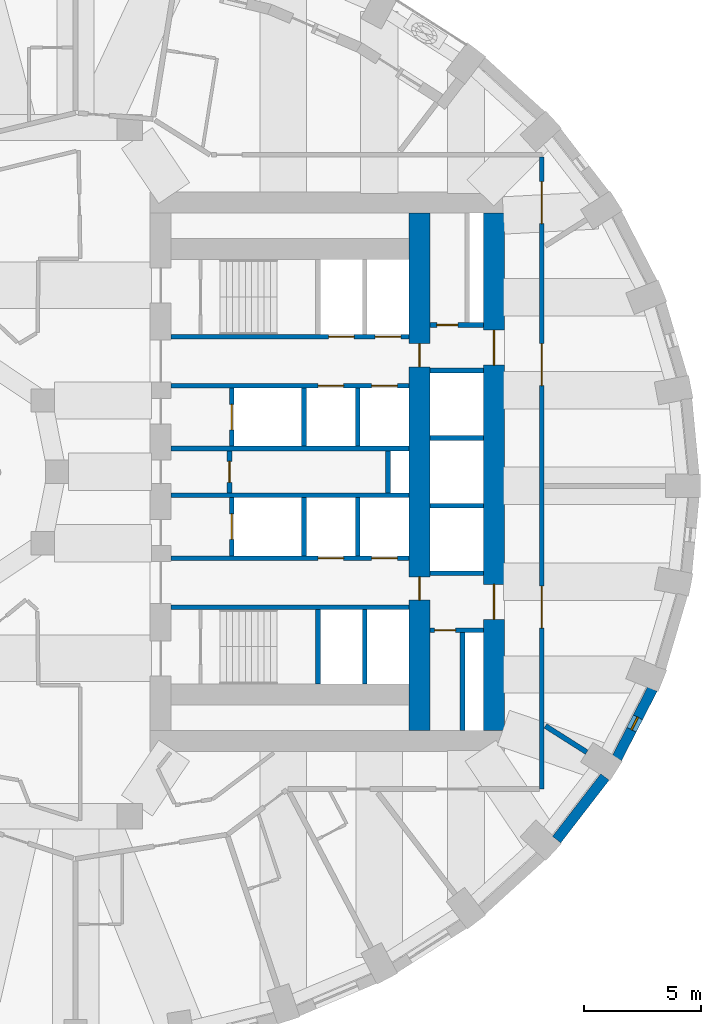
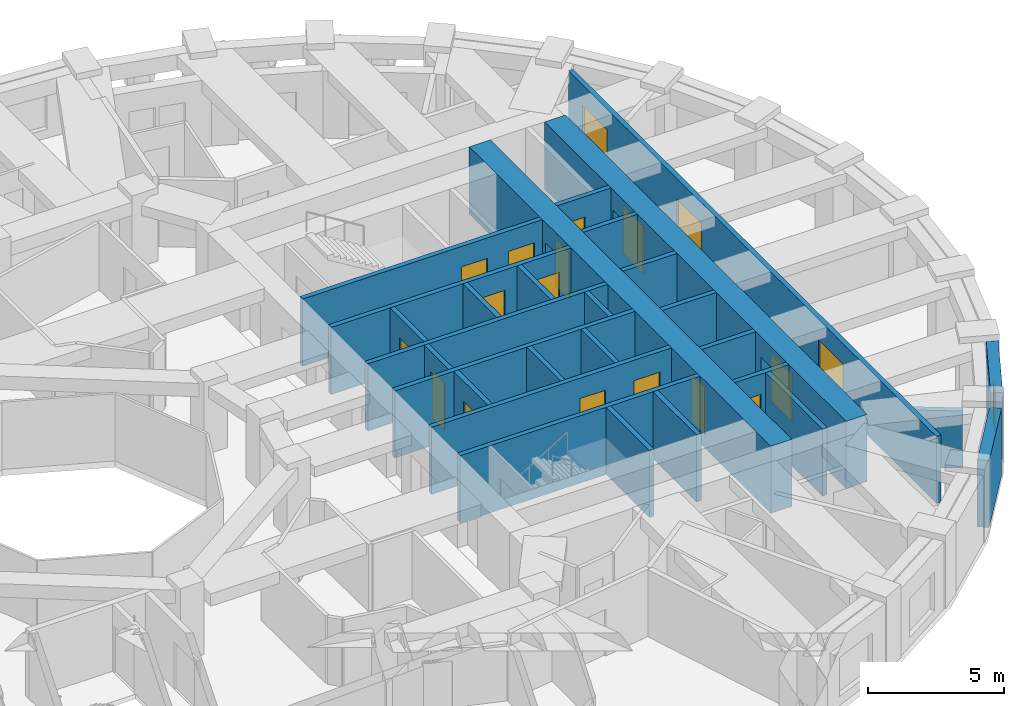
# One storey, part 6 of 12: 29 walls, 18 doors, 1 window, 19 openings.
"""IFC4 building model written with IfcOpenShell, lengths in metres."""

from ifc_helpers import new_model, si_unit, direction, frame, frame_2d, origin, place, context, subcontext, project, spatial, rectangle, extrude, material, layer, layer_set, type_object, element, fill, save


model = new_model("IFC4")

# Units and contexts
model_context = context("Model", 3, precision=1e-05, world=origin(), true_north=direction((0.0, 1.0)))
body_context = subcontext(model_context, "Body", "Model", "MODEL_VIEW")
ifc_project = project(units=[si_unit("LENGTHUNIT", "METRE"), si_unit("AREAUNIT", "SQUARE_METRE"), si_unit("VOLUMEUNIT", "CUBIC_METRE"), si_unit("PLANEANGLEUNIT", "RADIAN"), si_unit("MASSUNIT", "GRAM", prefix="KILO")], contexts=[model_context])

# Site, building, storey
site_placement = place(None, origin())
site = spatial("IfcSite", under=ifc_project, at=site_placement, CompositionType="ELEMENT")
building_placement = place(site_placement, origin())
building = spatial("IfcBuilding", under=site, at=building_placement, Name="Taillehof Tower", CompositionType="ELEMENT")
storey_placement = place(building_placement, frame((0.0, 0.0, 105.39990234375)))
storey = spatial("IfcBuildingStorey", under=building, at=storey_placement, Name="L29", CompositionType="ELEMENT", Elevation=105.39990234375)

# Wall
ifc_material_1 = material(Name="Brick masonry", Category="masonry")
ifc_layer_1 = layer(ifc_material_1, 0.449951171875)
ifc_layer_set_1 = layer_set([ifc_layer_1], Name="Brick infill wall 450")
wall_type_1 = type_object("IfcWallType", Name="Brick infill wall 450", PredefinedType="SOLIDWALL", material=ifc_layer_set_1)
wall_1_placement = place(storey_placement, frame((21.43505859375, -15.775390625, 0.0), z_axis=(0.0, 0.0, 1.0), x_axis=(0.610693945156, 0.791866721961, 0.0)))
element("IfcWall", 1, at=wall_1_placement, inside=storey, type_object=wall_type_1, Name="Brick wall L29 bay 33", PredefinedType="SOLIDWALL", context=body_context, shape_type="SweptSolid", body=[
    extrude(rectangle(XDim=3.39453125, YDim=0.449951171875, at=frame_2d((1.697265625, 0.0))), origin(), (0.0, 0.0, 1.0), 3.02001953125),
])

# Wall, opening, window
wall_2_placement = place(storey_placement, frame((24.022705078125, -12.27685546875, 0.0), z_axis=(0.0, 0.0, 1.0), x_axis=(0.456828186229, 0.889554949549, 0.0)))
wall_2 = element("IfcWall", 2, at=wall_2_placement, inside=storey, type_object=wall_type_1, Name="Brick wall L29 bay 34", PredefinedType="SOLIDWALL", context=body_context, shape_type="SweptSolid", body=[
    extrude(rectangle(XDim=3.332763671875, YDim=0.449951171875, at=frame_2d((1.66650390625, 0.0))), origin(), (0.0, 0.0, 1.0), 3.02001953125),
])
opening_1_placement = place(wall_2_placement, frame((1.366455078125, 0.0, 0.39990234375)))
opening_1 = element("IfcOpeningElement", 3, at=opening_1_placement, cuts=wall_2, Name="Opening W6", PredefinedType="OPENING", context=body_context, shape_type="SweptSolid", body=[
    extrude(rectangle(XDim=0.60009765625, YDim=1.75, at=frame_2d((0.300048828125, 0.875))), frame((0.0, 0.23486328125, 0.0), z_axis=(0.0, -1.0, 0.0), x_axis=(1.0, 0.0, 0.0)), (0.0, 0.0, 1.0), 0.469970703125),
])
ifc_material_2 = material(Name="Aluminium window frame with clear double glazing", Category="aluminium")
window_type = type_object("IfcWindowType", Name="Slot window 600x1750", PartitioningType="SINGLE_PANEL", PredefinedType="WINDOW", material=ifc_material_2)
window_placement = place(opening_1_placement, origin())
window = element("IfcWindow", 4, at=window_placement, inside=storey, type_object=window_type, Name="W6", OverallHeight=1.75, OverallWidth=0.60009765625, PartitioningType="SINGLE_PANEL", PredefinedType="WINDOW", context=body_context, shape_type="SweptSolid", body=[
    extrude(rectangle(XDim=0.60009765625, YDim=1.75, at=frame_2d((0.300048828125, 0.875))), frame((0.0, 0.034912109375, 0.0), z_axis=(0.0, -1.0, 0.0), x_axis=(1.0, 0.0, 0.0)), (0.0, 0.0, 1.0), 0.06005859375),
])
fill(opening_1, window)

# Wall, opening, door
ifc_material_3 = material(Name="Calcium silicate masonry", Category="masonry")
ifc_layer_2 = layer(ifc_material_3, 0.199951171875)
ifc_layer_set_2 = layer_set([ifc_layer_2], Name="Compartment wall calcium silicate 200")
wall_type_2 = type_object("IfcWallType", Name="Compartment wall calcium silicate 200", PredefinedType="PARTITIONING", material=ifc_layer_set_2)
wall_3_placement = place(storey_placement, frame((7.39990234375, -0.89990234375, 0.0), z_axis=(0.0, 0.0, 1.0), x_axis=(0.0, 1.0, 0.0)))
wall_3 = element("IfcWall", 5, at=wall_3_placement, inside=storey, type_object=wall_type_2, Name="Compartment wall FW", PredefinedType="PARTITIONING", context=body_context, shape_type="SweptSolid", body=[
    extrude(rectangle(XDim=1.7998046875, YDim=0.199951171875, at=frame_2d((0.89990234375, 0.0))), origin(), (0.0, 0.0, 1.0), 3.02001953125),
])
opening_2_placement = place(wall_3_placement, frame((0.449951171875, 0.0, 0.0)))
opening_2 = element("IfcOpeningElement", 6, at=opening_2_placement, cuts=wall_3, Name="Opening D2914", PredefinedType="OPENING", context=body_context, shape_type="SweptSolid", body=[
    extrude(rectangle(XDim=0.89990234375, YDim=2.10009765625, at=frame_2d((0.449951171875, 1.050048828125))), frame((0.0, 0.10986328125, 0.0), z_axis=(0.0, -1.0, 0.0), x_axis=(1.0, 0.0, 0.0)), (0.0, 0.0, 1.0), 0.219970703125),
])
ifc_material_4 = material(Name="Steel-faced fire door", Category="steel")
door_type_1 = type_object("IfcDoorType", Name="Riser and service room door 900x2100", OperationType="SINGLE_SWING_LEFT", PredefinedType="DOOR", material=ifc_material_4)
door_1_placement = place(opening_2_placement, origin())
door_1 = element("IfcDoor", 7, at=door_1_placement, inside=storey, type_object=door_type_1, Name="Door Electrical Room", OperationType="SINGLE_SWING_RIGHT", OverallHeight=2.10009765625, OverallWidth=0.89990234375, PredefinedType="DOOR", context=body_context, shape_type="SweptSolid", body=[
    extrude(rectangle(XDim=0.89990234375, YDim=2.10009765625, at=frame_2d((0.449951171875, 1.050048828125))), frame((0.0, 0.02490234375, 0.0), z_axis=(0.0, -1.0, 0.0), x_axis=(1.0, 0.0, 0.0)), (0.0, 0.0, 1.0), 0.050048828125),
])
fill(opening_2, door_1)

# Wall
wall_4_placement = place(storey_placement, frame((14.199951171875, -0.89990234375, 0.0), z_axis=(0.0, 0.0, 1.0), x_axis=(0.0, 1.0, 0.0)))
element("IfcWall", 8, at=wall_4_placement, inside=storey, type_object=wall_type_2, Name="Compartment wall FW", PredefinedType="PARTITIONING", context=body_context, shape_type="SweptSolid", body=[
    extrude(rectangle(XDim=1.7998046875, YDim=0.199951171875, at=frame_2d((0.89990234375, 0.0))), origin(), (0.0, 0.0, 1.0), 3.02001953125),
])

# Wall, opening, door
wall_5_placement = place(storey_placement, frame((16.0, 6.300048828125, 0.0), z_axis=(0.0, 0.0, 1.0), x_axis=(1.0, 0.0, 0.0)))
wall_5 = element("IfcWall", 9, at=wall_5_placement, inside=storey, type_object=wall_type_2, Name="Compartment wall FW", PredefinedType="PARTITIONING", context=body_context, shape_type="SweptSolid", body=[
    extrude(rectangle(XDim=2.300048828125, YDim=0.199951171875, at=frame_2d((1.14990234375, 0.0))), origin(), (0.0, 0.0, 1.0), 3.02001953125),
])
opening_3_placement = place(wall_5_placement, frame((0.300048828125, 0.0, 0.0)))
opening_3 = element("IfcOpeningElement", 10, at=opening_3_placement, cuts=wall_5, Name="Opening D2916", PredefinedType="OPENING", context=body_context, shape_type="SweptSolid", body=[
    extrude(rectangle(XDim=0.89990234375, YDim=2.10009765625, at=frame_2d((0.449951171875, 1.050048828125))), frame((0.0, 0.10986328125, 0.0), z_axis=(0.0, -1.0, 0.0), x_axis=(1.0, 0.0, 0.0)), (0.0, 0.0, 1.0), 0.219970703125),
])
door_2_placement = place(opening_3_placement, origin())
door_2 = element("IfcDoor", 11, at=door_2_placement, inside=storey, type_object=door_type_1, Name="Door Electrical Room", OperationType="SINGLE_SWING_RIGHT", OverallHeight=2.10009765625, OverallWidth=0.89990234375, PredefinedType="DOOR", context=body_context, shape_type="SweptSolid", body=[
    extrude(rectangle(XDim=0.89990234375, YDim=2.10009765625, at=frame_2d((0.449951171875, 1.050048828125))), frame((0.0, 0.02490234375, 0.0), z_axis=(0.0, -1.0, 0.0), x_axis=(1.0, 0.0, 0.0)), (0.0, 0.0, 1.0), 0.050048828125),
])
fill(opening_3, door_2)

wall_6_placement = place(storey_placement, frame((16.0, -6.800048828125, 0.0), z_axis=(0.0, 0.0, 1.0), x_axis=(1.0, 0.0, 0.0)))
wall_6 = element("IfcWall", 12, at=wall_6_placement, inside=storey, type_object=wall_type_2, Name="Compartment wall FW", PredefinedType="PARTITIONING", context=body_context, shape_type="SweptSolid", body=[
    extrude(rectangle(XDim=2.300048828125, YDim=0.199951171875, at=frame_2d((1.14990234375, 0.0))), origin(), (0.0, 0.0, 1.0), 3.02001953125),
])
opening_4_placement = place(wall_6_placement, frame((0.199951171875, 0.0, 0.0)))
opening_4 = element("IfcOpeningElement", 13, at=opening_4_placement, cuts=wall_6, Name="Opening D2918", PredefinedType="OPENING", context=body_context, shape_type="SweptSolid", body=[
    extrude(rectangle(XDim=0.89990234375, YDim=2.10009765625, at=frame_2d((0.449951171875, 1.050048828125))), frame((0.0, 0.10986328125, 0.0), z_axis=(0.0, -1.0, 0.0), x_axis=(1.0, 0.0, 0.0)), (0.0, 0.0, 1.0), 0.219970703125),
])
door_3_placement = place(opening_4_placement, origin())
door_3 = element("IfcDoor", 14, at=door_3_placement, inside=storey, type_object=door_type_1, Name="Door Comms Room", OperationType="SINGLE_SWING_LEFT", OverallHeight=2.10009765625, OverallWidth=0.89990234375, PredefinedType="DOOR", context=body_context, shape_type="SweptSolid", body=[
    extrude(rectangle(XDim=0.89990234375, YDim=2.10009765625, at=frame_2d((0.449951171875, 1.050048828125))), frame((0.0, 0.02490234375, 0.0), z_axis=(0.0, -1.0, 0.0), x_axis=(1.0, 0.0, 0.0)), (0.0, 0.0, 1.0), 0.050048828125),
])
fill(opening_4, door_3)

# Wall
wall_7_placement = place(storey_placement, frame((17.39990234375, -11.10009765625, 0.0), z_axis=(0.0, 0.0, 1.0), x_axis=(0.0, 1.0, 0.0)))
element("IfcWall", 15, at=wall_7_placement, inside=storey, type_object=wall_type_2, Name="Compartment wall FW", PredefinedType="PARTITIONING", context=body_context, shape_type="SweptSolid", body=[
    extrude(rectangle(XDim=4.2001953125, YDim=0.199951171875, at=frame_2d((2.10009765625, 0.0))), origin(), (0.0, 0.0, 1.0), 3.02001953125),
])

# Wall, openings, doors
ifc_material_5 = material(Name="Gypsum board on steel studs, two layers each side", Category="steel")
ifc_layer_3 = layer(ifc_material_5, 0.199951171875)
ifc_layer_set_3 = layer_set([ifc_layer_3], Name="Compartment wall corridor 200")
wall_type_3 = type_object("IfcWallType", Name="Compartment wall corridor 200", PredefinedType="PARTITIONING", material=ifc_layer_set_3)
wall_8_placement = place(storey_placement, frame((20.800048828125, 13.5, 0.0), z_axis=(0.0, 0.0, 1.0), x_axis=(0.0, -1.0, 0.0)))
wall_8 = element("IfcWall", 16, at=wall_8_placement, inside=storey, type_object=wall_type_3, Name="Compartment wall", PredefinedType="PARTITIONING", context=body_context, shape_type="SweptSolid", body=[
    extrude(rectangle(XDim=27.10009765625, YDim=0.199951171875, at=frame_2d((13.550048828125, 0.0))), origin(), (0.0, 0.0, 1.0), 3.02001953125),
])
opening_5_placement = place(wall_8_placement, frame((18.404052734375, 0.0, 0.0)))
opening_5 = element("IfcOpeningElement", 17, at=opening_5_placement, cuts=wall_8, Name="Opening D2962", PredefinedType="OPENING", context=body_context, shape_type="SweptSolid", body=[
    extrude(rectangle(XDim=1.800048828125, YDim=2.10009765625, at=frame_2d((0.89990234375, 1.050048828125))), frame((0.0, 0.10986328125, 0.0), z_axis=(0.0, -1.0, 0.0), x_axis=(1.0, 0.0, 0.0)), (0.0, 0.0, 1.0), 0.219970703125),
])
opening_6_placement = place(wall_8_placement, frame((7.99609375, 0.0, 0.0)))
opening_6 = element("IfcOpeningElement", 18, at=opening_6_placement, cuts=wall_8, Name="Opening D2963", PredefinedType="OPENING", context=body_context, shape_type="SweptSolid", body=[
    extrude(rectangle(XDim=1.800048828125, YDim=2.10009765625, at=frame_2d((0.89990234375, 1.050048828125))), frame((0.0, 0.10986328125, 0.0), z_axis=(0.0, -1.0, 0.0), x_axis=(1.0, 0.0, 0.0)), (0.0, 0.0, 1.0), 0.219970703125),
])
opening_7_placement = place(wall_8_placement, frame((1.05517578125, 0.0, 0.0)))
opening_7 = element("IfcOpeningElement", 19, at=opening_7_placement, cuts=wall_8, Name="Opening D2964", PredefinedType="OPENING", context=body_context, shape_type="SweptSolid", body=[
    extrude(rectangle(XDim=1.800048828125, YDim=2.10009765625, at=frame_2d((0.89990234375, 1.050048828125))), frame((0.0, 0.10986328125, 0.0), z_axis=(0.0, -1.0, 0.0), x_axis=(1.0, 0.0, 0.0)), (0.0, 0.0, 1.0), 0.219970703125),
])
ifc_material_6 = material(Name="Timber door leaf in steel frame", Category="steel")
door_type_2 = type_object("IfcDoorType", Name="Lounge and meeting room double door EI 30 1800 x 2100", OperationType="SINGLE_SWING_LEFT", PredefinedType="DOOR", material=ifc_material_6)
door_4_placement = place(opening_5_placement, origin())
door_4 = element("IfcDoor", 20, at=door_4_placement, inside=storey, type_object=door_type_2, Name="D2962", OperationType="DOUBLE_DOOR_SINGLE_SWING", OverallHeight=2.10009765625, OverallWidth=1.800048828125, PredefinedType="DOOR", context=body_context, shape_type="SweptSolid", body=[
    extrude(rectangle(XDim=1.800048828125, YDim=2.10009765625, at=frame_2d((0.89990234375, 1.050048828125))), frame((0.0, 0.02490234375, 0.0), z_axis=(0.0, -1.0, 0.0), x_axis=(1.0, 0.0, 0.0)), (0.0, 0.0, 1.0), 0.050048828125),
])
fill(opening_5, door_4)
door_5_placement = place(opening_6_placement, origin())
door_5 = element("IfcDoor", 21, at=door_5_placement, inside=storey, type_object=door_type_2, Name="D2963", OperationType="DOUBLE_DOOR_SINGLE_SWING", OverallHeight=2.10009765625, OverallWidth=1.800048828125, PredefinedType="DOOR", context=body_context, shape_type="SweptSolid", body=[
    extrude(rectangle(XDim=1.800048828125, YDim=2.10009765625, at=frame_2d((0.89990234375, 1.050048828125))), frame((0.0, 0.02490234375, 0.0), z_axis=(0.0, -1.0, 0.0), x_axis=(1.0, 0.0, 0.0)), (0.0, 0.0, 1.0), 0.050048828125),
])
fill(opening_6, door_5)
door_6_placement = place(opening_7_placement, origin())
door_6 = element("IfcDoor", 22, at=door_6_placement, inside=storey, type_object=door_type_2, Name="D2964", OperationType="DOUBLE_DOOR_SINGLE_SWING", OverallHeight=2.10009765625, OverallWidth=1.800048828125, PredefinedType="DOOR", context=body_context, shape_type="SweptSolid", body=[
    extrude(rectangle(XDim=1.800048828125, YDim=2.10009765625, at=frame_2d((0.89990234375, 1.050048828125))), frame((0.0, 0.02490234375, 0.0), z_axis=(0.0, -1.0, 0.0), x_axis=(1.0, 0.0, 0.0)), (0.0, 0.0, 1.0), 0.050048828125),
])
fill(opening_7, door_6)

# Wall
ifc_material_7 = material(Name="Gypsum board on double steel studs with mineral wool", Category="steel")
ifc_layer_4 = layer(ifc_material_7, 0.219970703125)
ifc_layer_set_4 = layer_set([ifc_layer_4], Name="Compartment wall guest room 220")
wall_type_4 = type_object("IfcWallType", Name="Compartment wall guest room 220", PredefinedType="PARTITIONING", material=ifc_layer_set_4)
wall_9_placement = place(storey_placement, frame((22.7265625, -12.0234375, 0.0), z_axis=(0.0, 0.0, 1.0), x_axis=(-0.844497052188, 0.535560200954, 0.0)))
element("IfcWall", 23, at=wall_9_placement, inside=storey, type_object=wall_type_4, Name="Compartment wall", PredefinedType="PARTITIONING", context=body_context, shape_type="SweptSolid", body=[
    extrude(rectangle(XDim=2.102783203125, YDim=0.219970703125, at=frame_2d((1.05126953125, 0.0))), origin(), (0.0, 0.0, 1.0), 2.570068359375),
])

# Wall, openings, doors
ifc_material_8 = material(Name="Concrete C80/95", Category="concrete")
ifc_layer_5 = layer(ifc_material_8, 0.89990234375)
ifc_layer_set_5 = layer_set([ifc_layer_5], Name="Core wall C80/95 900")
wall_type_5 = type_object("IfcWallType", Name="Core wall C80/95 900", PredefinedType="SHEAR", material=ifc_layer_set_5)
wall_10_placement = place(storey_placement, frame((18.75, -11.10009765625, 0.0), z_axis=(0.0, 0.0, 1.0), x_axis=(0.0, 1.0, 0.0)))
wall_10 = element("IfcWall", 24, at=wall_10_placement, inside=storey, type_object=wall_type_5, Name="Core wall CW02", PredefinedType="SHEAR", context=body_context, shape_type="SweptSolid", body=[
    extrude(rectangle(XDim=22.2001953125, YDim=0.89990234375, at=frame_2d((11.10009765625, 0.0))), origin(), (0.0, 0.0, 1.0), 3.02001953125),
])
opening_8_placement = place(wall_10_placement, frame((15.675048828125, 0.0, 0.0)))
opening_8 = element("IfcOpeningElement", 25, at=opening_8_placement, cuts=wall_10, Name="Opening D2908", PredefinedType="OPENING", context=body_context, shape_type="SweptSolid", body=[
    extrude(rectangle(XDim=1.5, YDim=2.10009765625, at=frame_2d((0.75, 1.050048828125))), frame((0.0, 0.4599609375, 0.0), z_axis=(0.0, -1.0, 0.0), x_axis=(1.0, 0.0, 0.0)), (0.0, 0.0, 1.0), 0.919921875),
])
opening_9_placement = place(wall_10_placement, frame((4.77490234375, 0.0, 0.0)))
opening_9 = element("IfcOpeningElement", 26, at=opening_9_placement, cuts=wall_10, Name="Opening D2909", PredefinedType="OPENING", context=body_context, shape_type="SweptSolid", body=[
    extrude(rectangle(XDim=1.5, YDim=2.10009765625, at=frame_2d((0.75, 1.050048828125))), frame((0.0, 0.4599609375, 0.0), z_axis=(0.0, -1.0, 0.0), x_axis=(1.0, 0.0, 0.0)), (0.0, 0.0, 1.0), 0.919921875),
])
ifc_material_9 = material(Name="Steel-faced fire door", Category="steel")
door_type_3 = type_object("IfcDoorType", Name="Lift lobby east door 1500x2100", OperationType="DOUBLE_DOOR_SINGLE_SWING", PredefinedType="DOOR", material=ifc_material_9)
door_7_placement = place(opening_8_placement, origin())
door_7 = element("IfcDoor", 27, at=door_7_placement, inside=storey, type_object=door_type_3, Name="Lift lobby east door north", OperationType="DOUBLE_DOOR_SINGLE_SWING", OverallHeight=2.10009765625, OverallWidth=1.5, PredefinedType="DOOR", context=body_context, shape_type="SweptSolid", body=[
    extrude(rectangle(XDim=1.5, YDim=2.10009765625, at=frame_2d((0.75, 1.050048828125))), frame((0.0, 0.02490234375, 0.0), z_axis=(0.0, -1.0, 0.0), x_axis=(1.0, 0.0, 0.0)), (0.0, 0.0, 1.0), 0.050048828125),
])
fill(opening_8, door_7)
door_8_placement = place(opening_9_placement, origin())
door_8 = element("IfcDoor", 28, at=door_8_placement, inside=storey, type_object=door_type_3, Name="Lift lobby east door south", OperationType="DOUBLE_DOOR_SINGLE_SWING", OverallHeight=2.10009765625, OverallWidth=1.5, PredefinedType="DOOR", context=body_context, shape_type="SweptSolid", body=[
    extrude(rectangle(XDim=1.5, YDim=2.10009765625, at=frame_2d((0.75, 1.050048828125))), frame((0.0, 0.02490234375, 0.0), z_axis=(0.0, -1.0, 0.0), x_axis=(1.0, 0.0, 0.0)), (0.0, 0.0, 1.0), 0.050048828125),
])
fill(opening_9, door_8)

wall_11_placement = place(storey_placement, frame((15.550048828125, -11.10009765625, 0.0), z_axis=(0.0, 0.0, 1.0), x_axis=(0.0, 1.0, 0.0)))
wall_11 = element("IfcWall", 29, at=wall_11_placement, inside=storey, type_object=wall_type_5, Name="Core wall CW05", PredefinedType="SHEAR", context=body_context, shape_type="SweptSolid", body=[
    extrude(rectangle(XDim=22.2001953125, YDim=0.89990234375, at=frame_2d((11.10009765625, 0.0))), origin(), (0.0, 0.0, 1.0), 3.02001953125),
])
opening_10_placement = place(wall_11_placement, frame((15.60009765625, 0.0, 0.0)))
opening_10 = element("IfcOpeningElement", 30, at=opening_10_placement, cuts=wall_11, Name="Opening D2915", PredefinedType="OPENING", context=body_context, shape_type="SweptSolid", body=[
    extrude(rectangle(XDim=1.0, YDim=2.10009765625, at=frame_2d((0.5, 1.050048828125))), frame((0.0, 0.4599609375, 0.0), z_axis=(0.0, -1.0, 0.0), x_axis=(1.0, 0.0, 0.0)), (0.0, 0.0, 1.0), 0.919921875),
])
opening_11_placement = place(wall_11_placement, frame((5.60009765625, 0.0, 0.0)))
opening_11 = element("IfcOpeningElement", 31, at=opening_11_placement, cuts=wall_11, Name="Opening D2917", PredefinedType="OPENING", context=body_context, shape_type="SweptSolid", body=[
    extrude(rectangle(XDim=1.0, YDim=2.10009765625, at=frame_2d((0.5, 1.050048828125))), frame((0.0, 0.4599609375, 0.0), z_axis=(0.0, -1.0, 0.0), x_axis=(1.0, 0.0, 0.0)), (0.0, 0.0, 1.0), 0.919921875),
])
ifc_material_10 = material(Name="Steel-faced fire door", Category="steel")
door_type_4 = type_object("IfcDoorType", Name="Service door 1000x2100", OperationType="SINGLE_SWING_RIGHT", PredefinedType="DOOR", material=ifc_material_10)
door_9_placement = place(opening_10_placement, origin())
door_9 = element("IfcDoor", 32, at=door_9_placement, inside=storey, type_object=door_type_4, Name="Service door strip", OperationType="SINGLE_SWING_RIGHT", OverallHeight=2.10009765625, OverallWidth=1.0, PredefinedType="DOOR", context=body_context, shape_type="SweptSolid", body=[
    extrude(rectangle(XDim=1.0, YDim=2.10009765625, at=frame_2d((0.5, 1.050048828125))), frame((0.0, 0.02490234375, 0.0), z_axis=(0.0, -1.0, 0.0), x_axis=(1.0, 0.0, 0.0)), (0.0, 0.0, 1.0), 0.050048828125),
])
fill(opening_10, door_9)
door_10_placement = place(opening_11_placement, origin())
door_10 = element("IfcDoor", 33, at=door_10_placement, inside=storey, type_object=door_type_4, Name="Service door strip", OperationType="SINGLE_SWING_LEFT", OverallHeight=2.10009765625, OverallWidth=1.0, PredefinedType="DOOR", context=body_context, shape_type="SweptSolid", body=[
    extrude(rectangle(XDim=1.0, YDim=2.10009765625, at=frame_2d((0.5, 1.050048828125))), frame((0.0, 0.02490234375, 0.0), z_axis=(0.0, -1.0, 0.0), x_axis=(1.0, 0.0, 0.0)), (0.0, 0.0, 1.0), 0.050048828125),
])
fill(opening_11, door_10)

ifc_material_11 = material(Name="Concrete C50/60", Category="concrete")
ifc_layer_6 = layer(ifc_material_11, 0.199951171875)
ifc_layer_set_6 = layer_set([ifc_layer_6], Name="Shaft wall C50/60 200")
wall_type_6 = type_object("IfcWallType", Name="Shaft wall C50/60 200", PredefinedType="SHEAR", material=ifc_layer_set_6)
wall_12_placement = place(storey_placement, frame((4.89990234375, 5.800048828125, 0.0), z_axis=(0.0, 0.0, 1.0), x_axis=(1.0, 0.0, 0.0)))
wall_12 = element("IfcWall", 34, at=wall_12_placement, inside=storey, type_object=wall_type_6, Name="Shaft wall SW", PredefinedType="SHEAR", context=body_context, shape_type="SweptSolid", body=[
    extrude(rectangle(XDim=10.2001953125, YDim=0.199951171875, at=frame_2d((5.10009765625, 0.0))), origin(), (0.0, 0.0, 1.0), 3.02001953125),
])
opening_12_placement = place(wall_12_placement, frame((6.75, 0.0, 0.0)))
opening_12 = element("IfcOpeningElement", 35, at=opening_12_placement, cuts=wall_12, Name="Opening LD1", PredefinedType="OPENING", context=body_context, shape_type="SweptSolid", body=[
    extrude(rectangle(XDim=1.10009765625, YDim=2.10009765625, at=frame_2d((0.550048828125, 1.050048828125))), frame((0.0, 0.10986328125, 0.0), z_axis=(0.0, -1.0, 0.0), x_axis=(1.0, 0.0, 0.0)), (0.0, 0.0, 1.0), 0.219970703125),
])
opening_13_placement = place(wall_12_placement, frame((8.75, 0.0, 0.0)))
opening_13 = element("IfcOpeningElement", 36, at=opening_13_placement, cuts=wall_12, Name="Opening LD1", PredefinedType="OPENING", context=body_context, shape_type="SweptSolid", body=[
    extrude(rectangle(XDim=1.10009765625, YDim=2.10009765625, at=frame_2d((0.550048828125, 1.050048828125))), frame((0.0, 0.10986328125, 0.0), z_axis=(0.0, -1.0, 0.0), x_axis=(1.0, 0.0, 0.0)), (0.0, 0.0, 1.0), 0.219970703125),
])
ifc_material_12 = material(Name="Stainless steel", Category="steel")
door_type_5 = type_object("IfcDoorType", Name="Lift landing door LD1 1100x2100", OperationType="DOUBLE_DOOR_SLIDING", PredefinedType="DOOR", material=ifc_material_12)
door_11_placement = place(opening_12_placement, origin())
door_11 = element("IfcDoor", 37, at=door_11_placement, inside=storey, type_object=door_type_5, Name="Landing door LR1", OperationType="DOUBLE_DOOR_SLIDING", OverallHeight=2.10009765625, OverallWidth=1.10009765625, PredefinedType="DOOR", context=body_context, shape_type="SweptSolid", body=[
    extrude(rectangle(XDim=1.10009765625, YDim=2.10009765625, at=frame_2d((0.550048828125, 1.050048828125))), frame((0.0, 0.02490234375, 0.0), z_axis=(0.0, -1.0, 0.0), x_axis=(1.0, 0.0, 0.0)), (0.0, 0.0, 1.0), 0.050048828125),
])
fill(opening_12, door_11)
door_12_placement = place(opening_13_placement, origin())
door_12 = element("IfcDoor", 38, at=door_12_placement, inside=storey, type_object=door_type_5, Name="Landing door LR2", OperationType="DOUBLE_DOOR_SLIDING", OverallHeight=2.10009765625, OverallWidth=1.10009765625, PredefinedType="DOOR", context=body_context, shape_type="SweptSolid", body=[
    extrude(rectangle(XDim=1.10009765625, YDim=2.10009765625, at=frame_2d((0.550048828125, 1.050048828125))), frame((0.0, 0.02490234375, 0.0), z_axis=(0.0, -1.0, 0.0), x_axis=(1.0, 0.0, 0.0)), (0.0, 0.0, 1.0), 0.050048828125),
])
fill(opening_13, door_12)

wall_13_placement = place(storey_placement, frame((4.89990234375, 3.699951171875, 0.0), z_axis=(0.0, 0.0, 1.0), x_axis=(1.0, 0.0, 0.0)))
wall_13 = element("IfcWall", 39, at=wall_13_placement, inside=storey, type_object=wall_type_6, Name="Shaft wall SW", PredefinedType="SHEAR", context=body_context, shape_type="SweptSolid", body=[
    extrude(rectangle(XDim=10.2001953125, YDim=0.199951171875, at=frame_2d((5.10009765625, 0.0))), origin(), (0.0, 0.0, 1.0), 3.02001953125),
])
opening_14_placement = place(wall_13_placement, frame((6.300048828125, 0.0, 0.0)))
opening_14 = element("IfcOpeningElement", 40, at=opening_14_placement, cuts=wall_13, Name="Opening LD1", PredefinedType="OPENING", context=body_context, shape_type="SweptSolid", body=[
    extrude(rectangle(XDim=1.10009765625, YDim=2.10009765625, at=frame_2d((0.550048828125, 1.050048828125))), frame((0.0, 0.10986328125, 0.0), z_axis=(0.0, -1.0, 0.0), x_axis=(1.0, 0.0, 0.0)), (0.0, 0.0, 1.0), 0.219970703125),
])
opening_15_placement = place(wall_13_placement, frame((8.60009765625, 0.0, 0.0)))
opening_15 = element("IfcOpeningElement", 41, at=opening_15_placement, cuts=wall_13, Name="Opening LD1", PredefinedType="OPENING", context=body_context, shape_type="SweptSolid", body=[
    extrude(rectangle(XDim=1.10009765625, YDim=2.10009765625, at=frame_2d((0.550048828125, 1.050048828125))), frame((0.0, 0.10986328125, 0.0), z_axis=(0.0, -1.0, 0.0), x_axis=(1.0, 0.0, 0.0)), (0.0, 0.0, 1.0), 0.219970703125),
])
door_13_placement = place(opening_14_placement, origin())
door_13 = element("IfcDoor", 42, at=door_13_placement, inside=storey, type_object=door_type_5, Name="Landing door LR3", OperationType="DOUBLE_DOOR_SLIDING", OverallHeight=2.10009765625, OverallWidth=1.10009765625, PredefinedType="DOOR", context=body_context, shape_type="SweptSolid", body=[
    extrude(rectangle(XDim=1.10009765625, YDim=2.10009765625, at=frame_2d((0.550048828125, 1.050048828125))), frame((0.0, 0.02490234375, 0.0), z_axis=(0.0, -1.0, 0.0), x_axis=(1.0, 0.0, 0.0)), (0.0, 0.0, 1.0), 0.050048828125),
])
fill(opening_14, door_13)
door_14_placement = place(opening_15_placement, origin())
door_14 = element("IfcDoor", 43, at=door_14_placement, inside=storey, type_object=door_type_5, Name="Landing door LR4", OperationType="DOUBLE_DOOR_SLIDING", OverallHeight=2.10009765625, OverallWidth=1.10009765625, PredefinedType="DOOR", context=body_context, shape_type="SweptSolid", body=[
    extrude(rectangle(XDim=1.10009765625, YDim=2.10009765625, at=frame_2d((0.550048828125, 1.050048828125))), frame((0.0, 0.02490234375, 0.0), z_axis=(0.0, -1.0, 0.0), x_axis=(1.0, 0.0, 0.0)), (0.0, 0.0, 1.0), 0.050048828125),
])
fill(opening_15, door_14)

# Walls
for number, where, z_axis, x_axis, name in (
    (44, (4.89990234375, 1.0, 0.0), (0.0, 0.0, 1.0), (1.0, 0.0, 0.0), "Shaft wall SW"),
    (45, (4.89990234375, -1.0, 0.0), (0.0, 0.0, 1.0), (1.0, 0.0, 0.0), "Shaft wall SW"),
):
    element("IfcWall", number, at=place(storey_placement, frame(where, z_axis=z_axis, x_axis=x_axis)), inside=storey, type_object=wall_type_6, Name=name, PredefinedType="SHEAR", context=body_context, shape_type="SweptSolid", body=[
        extrude(rectangle(XDim=10.2001953125, YDim=0.199951171875, at=frame_2d((5.10009765625, 0.0))), origin(), (0.0, 0.0, 1.0), 3.02001953125),
    ])

# Wall, openings, doors
wall_14_placement = place(storey_placement, frame((4.89990234375, -3.699951171875, 0.0), z_axis=(0.0, 0.0, 1.0), x_axis=(1.0, 0.0, 0.0)))
wall_14 = element("IfcWall", 46, at=wall_14_placement, inside=storey, type_object=wall_type_6, Name="Shaft wall SW", PredefinedType="SHEAR", context=body_context, shape_type="SweptSolid", body=[
    extrude(rectangle(XDim=10.2001953125, YDim=0.199951171875, at=frame_2d((5.10009765625, 0.0))), origin(), (0.0, 0.0, 1.0), 3.02001953125),
])
opening_16_placement = place(wall_14_placement, frame((6.300048828125, 0.0, 0.0)))
opening_16 = element("IfcOpeningElement", 47, at=opening_16_placement, cuts=wall_14, Name="Opening LD1", PredefinedType="OPENING", context=body_context, shape_type="SweptSolid", body=[
    extrude(rectangle(XDim=1.10009765625, YDim=2.10009765625, at=frame_2d((0.550048828125, 1.050048828125))), frame((0.0, 0.10986328125, 0.0), z_axis=(0.0, -1.0, 0.0), x_axis=(1.0, 0.0, 0.0)), (0.0, 0.0, 1.0), 0.219970703125),
])
opening_17_placement = place(wall_14_placement, frame((8.60009765625, 0.0, 0.0)))
opening_17 = element("IfcOpeningElement", 48, at=opening_17_placement, cuts=wall_14, Name="Opening LD1", PredefinedType="OPENING", context=body_context, shape_type="SweptSolid", body=[
    extrude(rectangle(XDim=1.10009765625, YDim=2.10009765625, at=frame_2d((0.550048828125, 1.050048828125))), frame((0.0, 0.10986328125, 0.0), z_axis=(0.0, -1.0, 0.0), x_axis=(1.0, 0.0, 0.0)), (0.0, 0.0, 1.0), 0.219970703125),
])
door_15_placement = place(opening_16_placement, origin())
door_15 = element("IfcDoor", 49, at=door_15_placement, inside=storey, type_object=door_type_5, Name="Landing door LR5", OperationType="DOUBLE_DOOR_SLIDING", OverallHeight=2.10009765625, OverallWidth=1.10009765625, PredefinedType="DOOR", context=body_context, shape_type="SweptSolid", body=[
    extrude(rectangle(XDim=1.10009765625, YDim=2.10009765625, at=frame_2d((0.550048828125, 1.050048828125))), frame((0.0, 0.02490234375, 0.0), z_axis=(0.0, -1.0, 0.0), x_axis=(1.0, 0.0, 0.0)), (0.0, 0.0, 1.0), 0.050048828125),
])
fill(opening_16, door_15)
door_16_placement = place(opening_17_placement, origin())
door_16 = element("IfcDoor", 50, at=door_16_placement, inside=storey, type_object=door_type_5, Name="Landing door LR6", OperationType="DOUBLE_DOOR_SLIDING", OverallHeight=2.10009765625, OverallWidth=1.10009765625, PredefinedType="DOOR", context=body_context, shape_type="SweptSolid", body=[
    extrude(rectangle(XDim=1.10009765625, YDim=2.10009765625, at=frame_2d((0.550048828125, 1.050048828125))), frame((0.0, 0.02490234375, 0.0), z_axis=(0.0, -1.0, 0.0), x_axis=(1.0, 0.0, 0.0)), (0.0, 0.0, 1.0), 0.050048828125),
])
fill(opening_17, door_16)

# Walls
wall_15_placement = place(storey_placement, frame((4.89990234375, -5.800048828125, 0.0), z_axis=(0.0, 0.0, 1.0), x_axis=(1.0, 0.0, 0.0)))
element("IfcWall", 51, at=wall_15_placement, inside=storey, type_object=wall_type_6, Name="Shaft wall SW", PredefinedType="SHEAR", context=body_context, shape_type="SweptSolid", body=[
    extrude(rectangle(XDim=10.2001953125, YDim=0.199951171875, at=frame_2d((5.10009765625, 0.0))), origin(), (0.0, 0.0, 1.0), 3.02001953125),
])
for number, where, z_axis, x_axis, name in (
    (52, (11.199951171875, -9.10009765625, 0.0), (0.0, 0.0, 1.0), (0.0, 1.0, 0.0), "Shaft wall SW"),
    (53, (13.199951171875, -9.10009765625, 0.0), (0.0, 0.0, 1.0), (0.0, 1.0, 0.0), "Shaft wall SW"),
):
    element("IfcWall", number, at=place(storey_placement, frame(where, z_axis=z_axis, x_axis=x_axis)), inside=storey, type_object=wall_type_6, Name=name, PredefinedType="SHEAR", context=body_context, shape_type="SweptSolid", body=[
        extrude(rectangle(XDim=3.2001953125, YDim=0.199951171875, at=frame_2d((1.60009765625, 0.0))), origin(), (0.0, 0.0, 1.0), 3.02001953125),
    ])

# Wall, opening, door
wall_16_placement = place(storey_placement, frame((7.5, 1.10009765625, 0.0), z_axis=(0.0, 0.0, 1.0), x_axis=(0.0, 1.0, 0.0)))
wall_16 = element("IfcWall", 54, at=wall_16_placement, inside=storey, type_object=wall_type_6, Name="Shaft wall SW", PredefinedType="SHEAR", context=body_context, shape_type="SweptSolid", body=[
    extrude(rectangle(XDim=2.5, YDim=0.199951171875, at=frame_2d((1.25, 0.0))), origin(), (0.0, 0.0, 1.0), 3.02001953125),
])
opening_18_placement = place(wall_16_placement, frame((0.699951171875, 0.0, 0.0)))
opening_18 = element("IfcOpeningElement", 55, at=opening_18_placement, cuts=wall_16, Name="Opening LD1", PredefinedType="OPENING", context=body_context, shape_type="SweptSolid", body=[
    extrude(rectangle(XDim=1.10009765625, YDim=2.10009765625, at=frame_2d((0.550048828125, 1.050048828125))), frame((0.0, 0.10986328125, 0.0), z_axis=(0.0, -1.0, 0.0), x_axis=(1.0, 0.0, 0.0)), (0.0, 0.0, 1.0), 0.219970703125),
])
door_17_placement = place(opening_18_placement, origin())
door_17 = element("IfcDoor", 56, at=door_17_placement, inside=storey, type_object=door_type_5, Name="Landing door FF1", OperationType="DOUBLE_DOOR_SLIDING", OverallHeight=2.10009765625, OverallWidth=1.10009765625, PredefinedType="DOOR", context=body_context, shape_type="SweptSolid", body=[
    extrude(rectangle(XDim=1.10009765625, YDim=2.10009765625, at=frame_2d((0.550048828125, 1.050048828125))), frame((0.0, 0.02490234375, 0.0), z_axis=(0.0, -1.0, 0.0), x_axis=(1.0, 0.0, 0.0)), (0.0, 0.0, 1.0), 0.050048828125),
])
fill(opening_18, door_17)

wall_17_placement = place(storey_placement, frame((7.5, -3.60009765625, 0.0), z_axis=(0.0, 0.0, 1.0), x_axis=(0.0, 1.0, 0.0)))
wall_17 = element("IfcWall", 57, at=wall_17_placement, inside=storey, type_object=wall_type_6, Name="Shaft wall SW", PredefinedType="SHEAR", context=body_context, shape_type="SweptSolid", body=[
    extrude(rectangle(XDim=2.5, YDim=0.199951171875, at=frame_2d((1.25, 0.0))), origin(), (0.0, 0.0, 1.0), 3.02001953125),
])
opening_19_placement = place(wall_17_placement, frame((0.699951171875, 0.0, 0.0)))
opening_19 = element("IfcOpeningElement", 58, at=opening_19_placement, cuts=wall_17, Name="Opening LD1", PredefinedType="OPENING", context=body_context, shape_type="SweptSolid", body=[
    extrude(rectangle(XDim=1.10009765625, YDim=2.10009765625, at=frame_2d((0.550048828125, 1.050048828125))), frame((0.0, 0.10986328125, 0.0), z_axis=(0.0, -1.0, 0.0), x_axis=(1.0, 0.0, 0.0)), (0.0, 0.0, 1.0), 0.219970703125),
])
door_18_placement = place(opening_19_placement, origin())
door_18 = element("IfcDoor", 59, at=door_18_placement, inside=storey, type_object=door_type_5, Name="Landing door FF2", OperationType="DOUBLE_DOOR_SLIDING", OverallHeight=2.10009765625, OverallWidth=1.10009765625, PredefinedType="DOOR", context=body_context, shape_type="SweptSolid", body=[
    extrude(rectangle(XDim=1.10009765625, YDim=2.10009765625, at=frame_2d((0.550048828125, 1.050048828125))), frame((0.0, 0.02490234375, 0.0), z_axis=(0.0, -1.0, 0.0), x_axis=(1.0, 0.0, 0.0)), (0.0, 0.0, 1.0), 0.050048828125),
])
fill(opening_19, door_18)

# Walls
for number, where, z_axis, x_axis, name in (
    (60, (10.60009765625, 1.10009765625, 0.0), (0.0, 0.0, 1.0), (0.0, 1.0, 0.0), "Shaft wall SW"),
    (61, (10.60009765625, -3.60009765625, 0.0), (0.0, 0.0, 1.0), (0.0, 1.0, 0.0), "Shaft wall SW"),
    (62, (12.89990234375, 1.10009765625, 0.0), (0.0, 0.0, 1.0), (0.0, 1.0, 0.0), "Shaft wall SW"),
    (63, (12.89990234375, -3.60009765625, 0.0), (0.0, 0.0, 1.0), (0.0, 1.0, 0.0), "Shaft wall SW"),
):
    element("IfcWall", number, at=place(storey_placement, frame(where, z_axis=z_axis, x_axis=x_axis)), inside=storey, type_object=wall_type_6, Name=name, PredefinedType="SHEAR", context=body_context, shape_type="SweptSolid", body=[
        extrude(rectangle(XDim=2.5, YDim=0.199951171875, at=frame_2d((1.25, 0.0))), origin(), (0.0, 0.0, 1.0), 3.02001953125),
    ])
for number, where, z_axis, x_axis, name in (
    (64, (16.0, -4.35009765625, 0.0), (0.0, 0.0, 1.0), (1.0, 0.0, 0.0), "Shaft wall SW"),
    (65, (16.0, -1.449951171875, 0.0), (0.0, 0.0, 1.0), (1.0, 0.0, 0.0), "Shaft wall SW"),
    (66, (16.0, 1.449951171875, 0.0), (0.0, 0.0, 1.0), (1.0, 0.0, 0.0), "Shaft wall SW"),
    (67, (16.0, 4.35009765625, 0.0), (0.0, 0.0, 1.0), (1.0, 0.0, 0.0), "Shaft wall SW"),
):
    element("IfcWall", number, at=place(storey_placement, frame(where, z_axis=z_axis, x_axis=x_axis)), inside=storey, type_object=wall_type_6, Name=name, PredefinedType="SHEAR", context=body_context, shape_type="SweptSolid", body=[
        extrude(rectangle(XDim=2.300048828125, YDim=0.199951171875, at=frame_2d((1.14990234375, 0.0))), origin(), (0.0, 0.0, 1.0), 3.02001953125),
    ])

save(model, "model.ifc")
